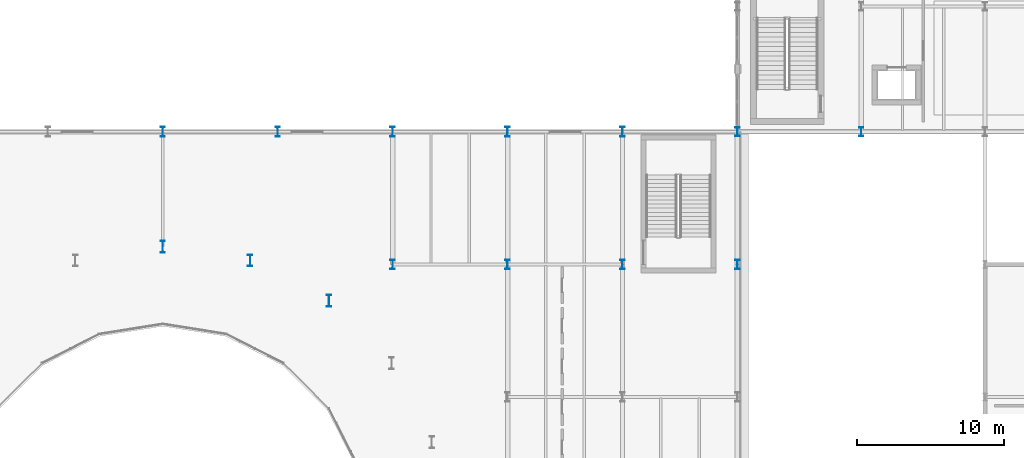
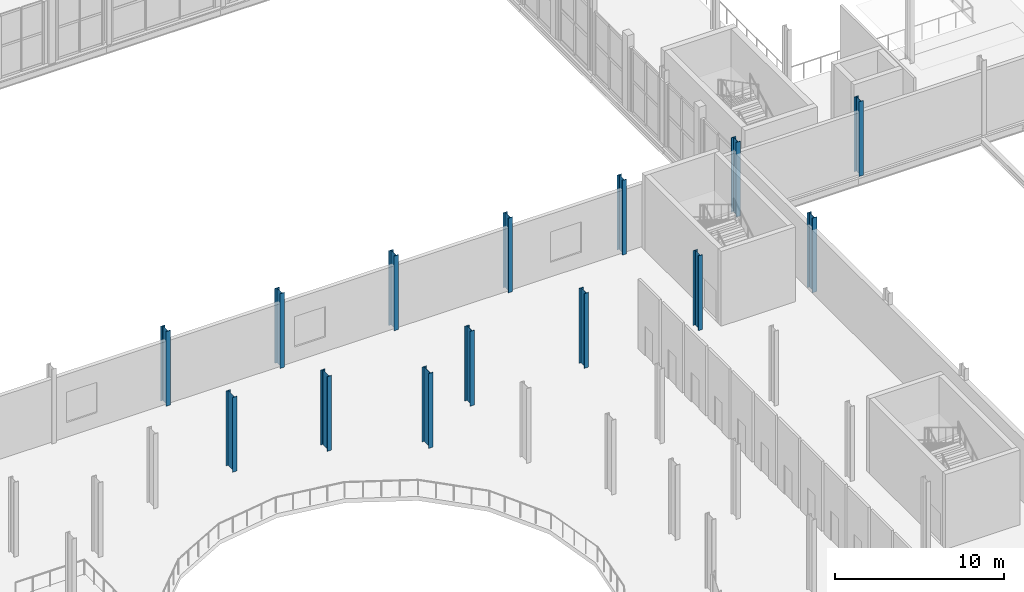
# One storey, part 6 of 78: 14 columns.
"""IFC4 building model written with IfcOpenShell, lengths in metres."""

import ifcopenshell
import ifcopenshell.guid

model = None  # the IFC model being written
_history = None  # IfcOwnerHistory: only IFC2X3 demands one
_inside = {}  # id of a spatial element -> (the spatial element, [elements in it])
_under = {}  # id of a project, library or spatial element -> (it, [spatial elements below it])
_declared = {}  # id of a project -> (the project, [libraries it declares])
_typed = {}  # id of a type object -> (the type object, [elements of that type])
_made_of = {}  # id of a material, layer set ... -> (it, [elements and type objects made of it])


def new_model(schema):
    """Start an empty IFC model of exactly this schema.

    Asked for "IFC4X3", IfcOpenShell would pick the latest addendum, in which some entities
    have other attributes; the version numbers below select the first issue.
    IFC2X3 requires an IfcOwnerHistory on every rooted entity: one is made here for all.
    """
    global model, _history
    if schema == "IFC4X3":
        model = ifcopenshell.file(schema_version=(4, 3, 0, 0))
    else:
        model = ifcopenshell.file(schema=schema)
    _inside.clear()
    _under.clear()
    _declared.clear()
    _typed.clear()
    _made_of.clear()
    _history = None
    if model.schema == "IFC2X3":
        org = make("IfcOrganization", Name="unknown")
        user = make(
            "IfcPersonAndOrganization",
            ThePerson=make("IfcPerson", FamilyName="unknown"),
            TheOrganization=org,
        )
        app = make(
            "IfcApplication",
            ApplicationDeveloper=org,
            Version="unknown",
            ApplicationFullName="unknown",
            ApplicationIdentifier="unknown",
        )
        _history = make(
            "IfcOwnerHistory",
            OwningUser=user,
            OwningApplication=app,
            ChangeAction="ADDED",
            CreationDate=0,
        )
    return model


def make(cls, **values):
    """One entity of the class cls with the attributes given. An attribute that is None is left unset."""
    return model.create_entity(
        cls, **{name: value for name, value in values.items() if value is not None}
    )


def rooted(cls, **values):
    """An entity with a GlobalId (a new one), such as an element, a storey or a relation."""
    return make(cls, GlobalId=ifcopenshell.guid.new(), OwnerHistory=_history, **values)


def si_unit(unit_type, name, prefix=None):
    """IfcSIUnit, for example si_unit("LENGTHUNIT", "METRE", prefix="MILLI")."""
    return make("IfcSIUnit", UnitType=unit_type, Prefix=prefix, Name=name)


def assignment(units):
    """IfcUnitAssignment: the units of a project."""
    return None if units is None else make("IfcUnitAssignment", Units=units)


def point(xyz):
    """IfcCartesianPoint."""
    return None if xyz is None else make("IfcCartesianPoint", Coordinates=xyz)


def direction(xyz):
    """IfcDirection."""
    return None if xyz is None else make("IfcDirection", DirectionRatios=xyz)


def frame(location, z_axis=None, x_axis=None):
    """IfcAxis2Placement3D, a coordinate frame: its origin and axes. An axis left out is left unset."""
    return make(
        "IfcAxis2Placement3D",
        Location=point(location),
        Axis=direction(z_axis),
        RefDirection=direction(x_axis),
    )


def frame_2d(location, x_axis=None):
    """IfcAxis2Placement2D, a coordinate frame in the plane: its origin and x axis."""
    return make(
        "IfcAxis2Placement2D", Location=point(location), RefDirection=direction(x_axis)
    )


def origin():
    """The frame at (0, 0, 0) with its axes left unset."""
    return frame((0.0, 0.0, 0.0))


def origin_2d():
    """The frame at (0, 0) in the plane with its x axis left unset."""
    return frame_2d((0.0, 0.0))


def place(relative_to, where):
    """IfcLocalPlacement: puts the frame where relative to a parent placement (None: the world)."""
    return make(
        "IfcLocalPlacement", PlacementRelTo=relative_to, RelativePlacement=where
    )


def context(
    kind, dimensions, precision=None, world=None, true_north=None, identifier=None
):
    """IfcGeometricRepresentationContext, for example the 3D "Model" context."""
    return make(
        "IfcGeometricRepresentationContext",
        ContextIdentifier=identifier,
        ContextType=kind,
        CoordinateSpaceDimension=dimensions,
        Precision=precision,
        WorldCoordinateSystem=world,
        TrueNorth=true_north,
    )


def subcontext(parent, identifier, kind, view, scale=None):
    """IfcGeometricRepresentationSubContext, for example "Body" below "Model"."""
    return make(
        "IfcGeometricRepresentationSubContext",
        ContextIdentifier=identifier,
        ContextType=kind,
        ParentContext=parent,
        TargetScale=scale,
        TargetView=view,
    )


def project(units=None, contexts=None):
    """IfcProject with its units and contexts."""
    return rooted(
        "IfcProject",
        Name="project",
        RepresentationContexts=contexts,
        UnitsInContext=assignment(units),
    )


def spatial(cls, under=None, at=None, **own):
    """A site, building, storey or space (cls), placed at a placement, below another one or the project."""
    s = rooted(cls, ObjectPlacement=at, **own)
    if under is not None:
        _under.setdefault(under.id(), (under, []))[1].append(s)
    return s


def profile(cls, at=None, kind="AREA", **sizes):
    """A parametric profile (cls). Its sizes go by their IFC names, for example OverallWidth=200.0."""
    return make(cls, ProfileType=kind, Position=at, **sizes)


def i_section(**sizes):
    """IfcIShapeProfileDef."""
    return profile("IfcIShapeProfileDef", **sizes)


def extrude(swept, where, along, depth):
    """IfcExtrudedAreaSolid: the profile swept, set in the frame where, extruded along a direction by depth."""
    return make(
        "IfcExtrudedAreaSolid",
        SweptArea=swept,
        Position=where,
        ExtrudedDirection=direction(along),
        Depth=depth,
    )


def shape(context_of_items, identifier, shape_type, items):
    """IfcShapeRepresentation: the items that make up one representation, for example the "Body"."""
    return make(
        "IfcShapeRepresentation",
        ContextOfItems=context_of_items,
        RepresentationIdentifier=identifier,
        RepresentationType=shape_type,
        Items=items,
    )


def material(Name=None, Category=None):
    """IfcMaterial."""
    return make("IfcMaterial", Name=Name, Category=Category)


def material_profile(
    of_material, cross_section, Name=None, Category=None, Priority=None
):
    """IfcMaterialProfile: a cross section and its material."""
    return make(
        "IfcMaterialProfile",
        Name=Name,
        Material=of_material,
        Profile=cross_section,
        Priority=Priority,
        Category=Category,
    )


def profile_set(profiles, Name=None, composite=None):
    """IfcMaterialProfileSet."""
    return make(
        "IfcMaterialProfileSet",
        Name=Name,
        MaterialProfiles=profiles,
        CompositeProfile=composite,
    )


def made_of(thing, what):
    """Note that an element or type object is made of a material, layer set ...; save() writes the relation."""
    if what is not None:
        _made_of.setdefault(what.id(), (what, []))[1].append(thing)
    return thing


def type_object(cls, material=None, **own):
    """A type object (cls), such as IfcWallType, which elements share."""
    return made_of(rooted(cls, **own), material)


def element(
    cls,
    number,
    at=None,
    inside=None,
    cuts=None,
    type_object=None,
    material=None,
    context=None,
    identifier="Body",
    shape_type=None,
    held_by="IfcProductDefinitionShape",
    body=None,
    shapes=None,
    **own,
):
    """One element of the class cls, such as IfcWall. Its Tag is "e" and its number.

    at: its placement. inside: the storey or other place that contains it. cuts: it is an
    opening in that element (IfcRelVoidsElement). A single representation is given by context,
    identifier, shape_type and body (its items); several are given by shapes. held_by: the class
    of the entity that holds the representations. save() writes the other relations.
    """
    e = rooted(cls, Tag="e%d" % number, ObjectPlacement=at, **own)
    if body is not None:
        shapes = [shape(context, identifier, shape_type, body)]
    if shapes is not None:
        e.Representation = make(held_by, Representations=shapes)
    if inside is not None:
        _inside.setdefault(inside.id(), (inside, []))[1].append(e)
    if cuts is not None:
        rooted(
            "IfcRelVoidsElement", RelatingBuildingElement=cuts, RelatedOpeningElement=e
        )
    if type_object is not None:
        _typed.setdefault(type_object.id(), (type_object, []))[1].append(e)
    return made_of(e, material)


def aggregate(whole, parts):
    """IfcRelAggregates: a whole, such as a stair, and the parts it consists of."""
    return rooted("IfcRelAggregates", RelatingObject=whole, RelatedObjects=parts)


def save(model, path):
    """Write the relations noted so far, then the file.

    IfcRelAggregates (storeys below a building ...), IfcRelContainedInSpatialStructure (elements
    in a storey), IfcRelDefinesByType, IfcRelAssociatesMaterial and IfcRelDeclares: one each for
    every whole, place, type object, material and project.
    """
    for whole, parts in _under.values():
        aggregate(whole, parts)
    for where, things in _inside.values():
        rooted(
            "IfcRelContainedInSpatialStructure",
            RelatedElements=things,
            RelatingStructure=where,
        )
    for kind, things in _typed.values():
        rooted("IfcRelDefinesByType", RelatedObjects=things, RelatingType=kind)
    for what, things in _made_of.values():
        rooted("IfcRelAssociatesMaterial", RelatedObjects=things, RelatingMaterial=what)
    for by, libraries in _declared.values():
        rooted("IfcRelDeclares", RelatingContext=by, RelatedDefinitions=libraries)
    model.write(path)


model = new_model("IFC4")

# Units and contexts
model_context = context("Model", 3, precision=1e-05, world=origin(), true_north=direction((0.0, 1.0)))
body_context = subcontext(model_context, "Body", "Model", "MODEL_VIEW")
ifc_project = project(units=[si_unit("LENGTHUNIT", "METRE"), si_unit("AREAUNIT", "SQUARE_METRE"), si_unit("VOLUMEUNIT", "CUBIC_METRE"), si_unit("PLANEANGLEUNIT", "RADIAN"), si_unit("MASSUNIT", "GRAM", prefix="KILO")], contexts=[model_context])

# Site, building, storey
site_placement = place(None, origin())
site = spatial("IfcSite", under=ifc_project, at=site_placement, CompositionType="ELEMENT")
building_placement = place(site_placement, origin())
building = spatial("IfcBuilding", under=site, at=building_placement, Name="Sefraquen Railside Congress Hotel", CompositionType="ELEMENT")
storey_placement = place(building_placement, frame((0.0, 0.0, 6.0)))
storey = spatial("IfcBuildingStorey", under=building, at=storey_placement, Name="L01", CompositionType="ELEMENT", Elevation=6.0)

# Columns
ifc_material = material(Name="Steel S355JR", Category="steel")
ifc_material_profile_1 = material_profile(ifc_material, i_section(OverallWidth=0.300048828125, OverallDepth=0.60009765625, WebThickness=0.015380859375, FlangeThickness=0.030029296875, FilletRadius=0.027099609375, at=origin_2d()), Name="HEB 600")
ifc_profile_set_1 = profile_set([ifc_material_profile_1], Name="Steel S355JR")
column_type_1 = type_object("IfcColumnType", Name="TC-HEB-600", PredefinedType="COLUMN", material=ifc_profile_set_1)
for number, where, z_axis, x_axis, name in (
    (1, (103.199951171875, 54.0, 0.0), (0.0, 0.0, 1.0), (1.0, 0.0, 0.0), "Structural column 14-G L01"),
    (2, (111.60009765625, 54.0, 0.0), (0.0, 0.0, 1.0), (1.0, 0.0, 0.0), "Structural column 15-G L01"),
):
    element("IfcColumn", number, at=place(storey_placement, frame(where, z_axis=z_axis, x_axis=x_axis)), inside=storey, type_object=column_type_1, Name=name, PredefinedType="COLUMN", context=body_context, shape_type="SweptSolid", body=[
        extrude(i_section(OverallWidth=0.300048828125, OverallDepth=0.60009765625, WebThickness=0.015380859375, FlangeThickness=0.030029296875, FilletRadius=0.027099609375, at=origin_2d()), origin(), (0.0, 0.0, 1.0), 5.39990234375),
    ])
ifc_material_profile_2 = material_profile(ifc_material, i_section(OverallWidth=0.300048828125, OverallDepth=0.64990234375, WebThickness=0.01611328125, FlangeThickness=0.031005859375, FilletRadius=0.027099609375, at=origin_2d()), Name="HEB 650")
ifc_profile_set_2 = profile_set([ifc_material_profile_2], Name="Steel S355JR")
column_type_2 = type_object("IfcColumnType", Name="TC-HEB-650", PredefinedType="COLUMN", material=ifc_profile_set_2)
for number, where, z_axis, x_axis, name in (
    (3, (64.199951171875, 54.0, 0.0), (0.0, 0.0, 1.0), (1.0, 0.0, 0.0), "Structural column 9-G L01"),
    (4, (72.0, 54.0, 0.0), (0.0, 0.0, 1.0), (1.0, 0.0, 0.0), "Structural column 10-G L01"),
    (5, (79.800048828125, 45.0, 0.0), (0.0, 0.0, 1.0), (1.0, 0.0, 0.0), "Structural column 11-F L01"),
    (6, (79.800048828125, 54.0, 0.0), (0.0, 0.0, 1.0), (1.0, 0.0, 0.0), "Structural column 11-G L01"),
    (7, (87.60009765625, 45.0, 0.0), (0.0, 0.0, 1.0), (1.0, 0.0, 0.0), "Structural column 12-F L01"),
    (8, (87.60009765625, 54.0, 0.0), (0.0, 0.0, 1.0), (1.0, 0.0, 0.0), "Structural column 12-G L01"),
    (9, (95.39990234375, 45.0, 0.0), (0.0, 0.0, 1.0), (1.0, 0.0, 0.0), "Structural column 13-F L01"),
    (10, (95.39990234375, 54.0, 0.0), (0.0, 0.0, 1.0), (1.0, 0.0, 0.0), "Structural column 13-G L01"),
    (11, (103.199951171875, 45.0, 0.0), (0.0, 0.0, 1.0), (1.0, 0.0, 0.0), "Structural column 14-F L01"),
):
    element("IfcColumn", number, at=place(storey_placement, frame(where, z_axis=z_axis, x_axis=x_axis)), inside=storey, type_object=column_type_2, Name=name, PredefinedType="COLUMN", context=body_context, shape_type="SweptSolid", body=[
        extrude(i_section(OverallWidth=0.300048828125, OverallDepth=0.64990234375, WebThickness=0.01611328125, FlangeThickness=0.031005859375, FilletRadius=0.027099609375, at=origin_2d()), origin(), (0.0, 0.0, 1.0), 5.39990234375),
    ])
ifc_material_profile_3 = material_profile(ifc_material, i_section(OverallWidth=0.300048828125, OverallDepth=0.800048828125, WebThickness=0.017578125, FlangeThickness=0.032958984375, FilletRadius=0.030029296875, at=origin_2d()), Name="HEB 800")
ifc_profile_set_3 = profile_set([ifc_material_profile_3], Name="Steel S355JR")
column_type_3 = type_object("IfcColumnType", Name="TC-HEB-800", PredefinedType="COLUMN", material=ifc_profile_set_3)
for number, where, z_axis, x_axis, name in (
    (12, (75.485595703125, 42.533203125, 0.0), (0.0, 0.0, 1.0), (1.0, 0.0, 0.0), "Structural column DRM-04 L01"),
    (13, (70.133056640625, 45.26025390625, 0.0), (0.0, 0.0, 1.0), (1.0, 0.0, 0.0), "Structural column DRM-05 L01"),
    (14, (64.199951171875, 46.199951171875, 0.0), (0.0, 0.0, 1.0), (1.0, 0.0, 0.0), "Structural column DRM-06 L01"),
):
    element("IfcColumn", number, at=place(storey_placement, frame(where, z_axis=z_axis, x_axis=x_axis)), inside=storey, type_object=column_type_3, Name=name, PredefinedType="COLUMN", context=body_context, shape_type="SweptSolid", body=[
        extrude(i_section(OverallWidth=0.300048828125, OverallDepth=0.800048828125, WebThickness=0.017578125, FlangeThickness=0.032958984375, FilletRadius=0.030029296875, at=origin_2d()), origin(), (0.0, 0.0, 1.0), 5.39990234375),
    ])

save(model, "model.ifc")
